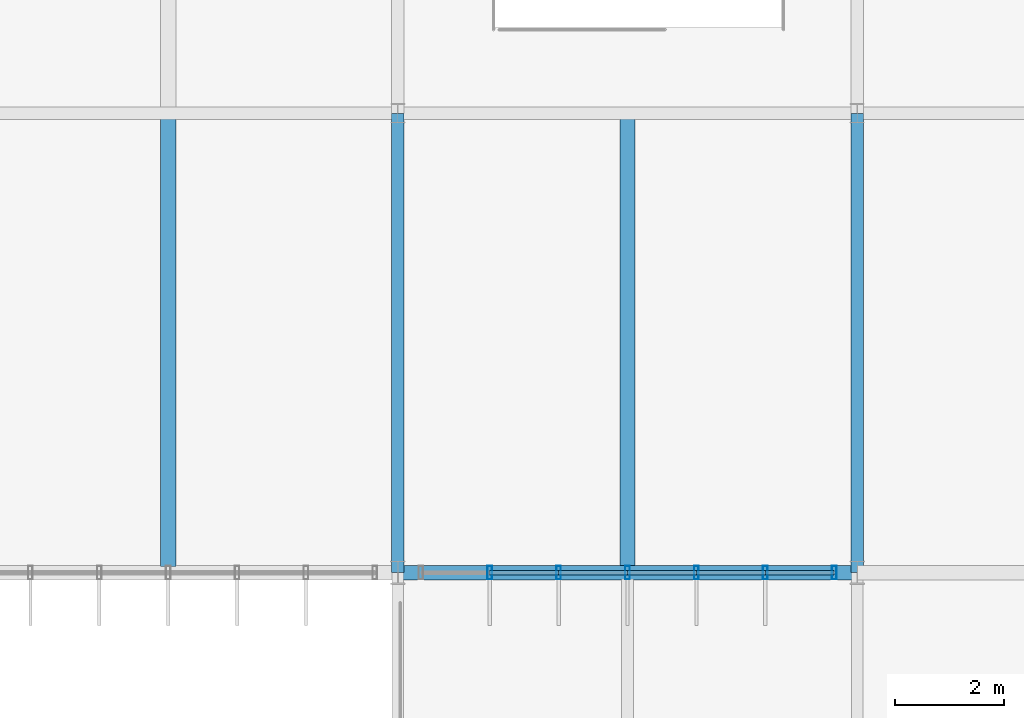
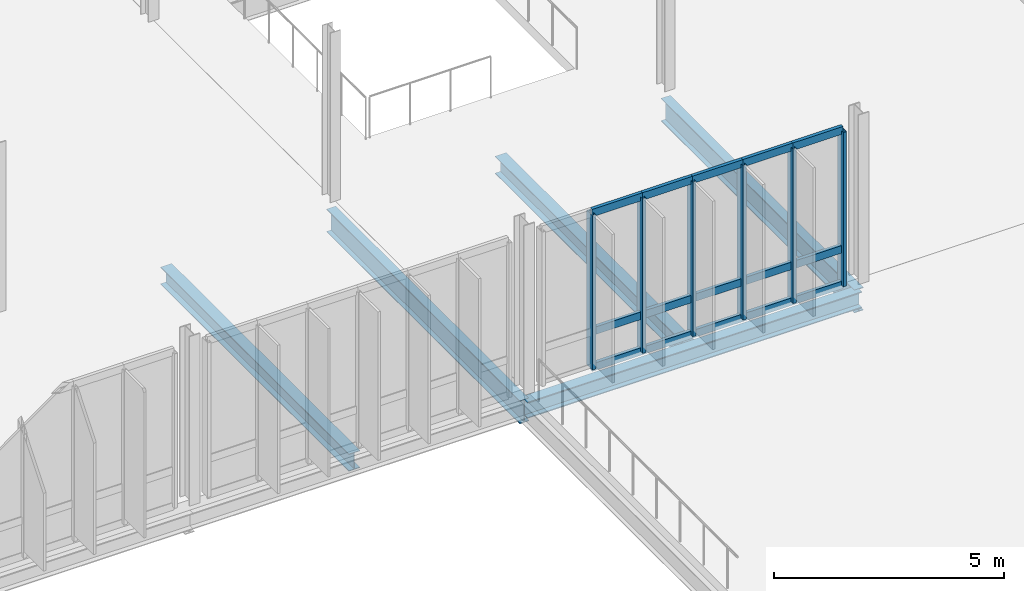
# One storey, part 23 of 139: 21 members, 5 beams, 1 element without a shape of its own.
"""IFC4 building model written with IfcOpenShell, lengths in metres."""

from ifc_helpers import new_model, si_unit, derived_unit, direction, frame, origin, origin_2d, place, context, subcontext, project, spatial, hollow_rectangle, i_section, extrude, material, layer, layer_set, material_profile, profile_set, type_object, element, aggregate, save


model = new_model("IFC4")

# Units and contexts
model_context = context("Model", 3, precision=1e-05, world=origin(), true_north=direction((0.0, 1.0)))
body_context = subcontext(model_context, "Body", "Model", "MODEL_VIEW")
ifc_project = project(units=[si_unit("LENGTHUNIT", "METRE"), si_unit("AREAUNIT", "SQUARE_METRE"), si_unit("VOLUMEUNIT", "CUBIC_METRE"), si_unit("PLANEANGLEUNIT", "RADIAN"), si_unit("MASSUNIT", "GRAM", prefix="KILO"), derived_unit("THERMALTRANSMITTANCEUNIT", [(si_unit("MASSUNIT", "GRAM", prefix="KILO"), 1), (si_unit("TIMEUNIT", "SECOND"), -3), (si_unit("THERMODYNAMICTEMPERATUREUNIT", "KELVIN"), -1)])], contexts=[model_context])

# Site, building, storey
site_placement = place(None, origin())
site = spatial("IfcSite", under=ifc_project, at=site_placement, CompositionType="ELEMENT")
building_placement = place(site_placement, origin())
building = spatial("IfcBuilding", under=site, at=building_placement, Name="Makaiwela Harbour Ferry Terminal", CompositionType="ELEMENT")
storey_placement = place(building_placement, frame((0.0, 0.0, 5.10009765625)))
storey = spatial("IfcBuildingStorey", under=building, at=storey_placement, Name="L01", CompositionType="ELEMENT", Elevation=5.10009765625)

# Curtain wall, members
ifc_material_1 = material(Name="Marine anodised aluminium 6063-T6", Category="aluminium")
ifc_layer = layer(ifc_material_1, 0.199951171875)
ifc_layer_set = layer_set([ifc_layer], Name="Marine anodised aluminium 6063-T6")
curtain_wall_type = type_object("IfcCurtainWallType", Name="ENV-CW-08", PredefinedType="USERDEFINED", material=ifc_layer_set)
curtain_wall_placement = place(storey_placement, origin())
curtain_wall = element("IfcCurtainWall", 1, at=curtain_wall_placement, inside=storey, type_object=curtain_wall_type, Name="Unitised Curtain Wall CWA-106", ObjectType="UNITIZED CURTAIN WALL", PredefinedType="USERDEFINED")
ifc_material_profile_1 = material_profile(ifc_material_1, hollow_rectangle(XDim=0.0849609375, YDim=0.25, WallThickness=0.0048828125, at=origin_2d()), Name="CWM-250X85")
ifc_profile_set_1 = profile_set([ifc_material_profile_1], Name="Marine anodised aluminium 6063-T6")
member_type_1 = type_object("IfcMemberType", Name="CW-MUL-250", PredefinedType="MULLION", material=ifc_profile_set_1)
member_1_placement = place(storey_placement, frame((62.580078125, 25.199951171875, 0.0), z_axis=(0.0, 0.0, 1.0), x_axis=(1.0, 0.0, 0.0)))
member_1 = element("IfcMember", 2, at=member_1_placement, type_object=member_type_1, Name="Curtain Wall Mullion CWA-106-1", PredefinedType="MULLION", context=body_context, shape_type="SweptSolid", body=[
    extrude(hollow_rectangle(XDim=0.0849609375, YDim=0.25, WallThickness=0.0048828125, at=origin_2d()), origin(), (0.0, 0.0, 1.0), 4.099853515625),
])
member_2_placement = place(storey_placement, frame((61.320068359375, 25.199951171875, 0.0), z_axis=(0.0, 0.0, 1.0), x_axis=(1.0, 0.0, 0.0)))
member_2 = element("IfcMember", 3, at=member_2_placement, type_object=member_type_1, Name="Curtain Wall Mullion CWA-106-2", PredefinedType="MULLION", context=body_context, shape_type="SweptSolid", body=[
    extrude(hollow_rectangle(XDim=0.0849609375, YDim=0.25, WallThickness=0.0048828125, at=origin_2d()), origin(), (0.0, 0.0, 1.0), 4.099853515625),
])
member_3_placement = place(storey_placement, frame((60.06005859375, 25.199951171875, 0.0), z_axis=(0.0, 0.0, 1.0), x_axis=(1.0, 0.0, 0.0)))
member_3 = element("IfcMember", 4, at=member_3_placement, type_object=member_type_1, Name="Curtain Wall Mullion CWA-106-3", PredefinedType="MULLION", context=body_context, shape_type="SweptSolid", body=[
    extrude(hollow_rectangle(XDim=0.0849609375, YDim=0.25, WallThickness=0.0048828125, at=origin_2d()), origin(), (0.0, 0.0, 1.0), 4.099853515625),
])
member_4_placement = place(storey_placement, frame((58.800048828125, 25.199951171875, 0.0), z_axis=(0.0, 0.0, 1.0), x_axis=(1.0, 0.0, 0.0)))
member_4 = element("IfcMember", 5, at=member_4_placement, type_object=member_type_1, Name="Curtain Wall Mullion CWA-106-4", PredefinedType="MULLION", context=body_context, shape_type="SweptSolid", body=[
    extrude(hollow_rectangle(XDim=0.0849609375, YDim=0.25, WallThickness=0.0048828125, at=origin_2d()), origin(), (0.0, 0.0, 1.0), 4.099853515625),
])
member_5_placement = place(storey_placement, frame((57.5400390625, 25.199951171875, 0.0), z_axis=(0.0, 0.0, 1.0), x_axis=(1.0, 0.0, 0.0)))
member_5 = element("IfcMember", 6, at=member_5_placement, type_object=member_type_1, Name="Curtain Wall Mullion CWA-106-5", PredefinedType="MULLION", context=body_context, shape_type="SweptSolid", body=[
    extrude(hollow_rectangle(XDim=0.0849609375, YDim=0.25, WallThickness=0.0048828125, at=origin_2d()), origin(), (0.0, 0.0, 1.0), 4.099853515625),
])
member_6_placement = place(storey_placement, frame((56.280029296875, 25.199951171875, 0.0), z_axis=(0.0, 0.0, 1.0), x_axis=(1.0, 0.0, 0.0)))
member_6 = element("IfcMember", 7, at=member_6_placement, type_object=member_type_1, Name="Curtain Wall Mullion CWA-106-6", PredefinedType="MULLION", context=body_context, shape_type="SweptSolid", body=[
    extrude(hollow_rectangle(XDim=0.0849609375, YDim=0.25, WallThickness=0.0048828125, at=origin_2d()), origin(), (0.0, 0.0, 1.0), 4.099853515625),
])
ifc_material_profile_2 = material_profile(ifc_material_1, hollow_rectangle(XDim=0.0849609375, YDim=0.199951171875, WallThickness=0.0048828125, at=origin_2d()), Name="CWT-200X85")
ifc_profile_set_2 = profile_set([ifc_material_profile_2], Name="Marine anodised aluminium 6063-T6")
member_type_2 = type_object("IfcMemberType", Name="CW-TRN-200", PredefinedType="USERDEFINED", material=ifc_profile_set_2)
member_7_placement = place(storey_placement, frame((62.580078125, 25.199951171875, 0.0), z_axis=(-1.0, 0.0, 0.0), x_axis=(0.0, -1.0, 0.0)))
member_7 = element("IfcMember", 8, at=member_7_placement, type_object=member_type_2, Name="Curtain Wall Transom CWA-106-1-1", ObjectType="TRANSOM", PredefinedType="USERDEFINED", context=body_context, shape_type="SweptSolid", body=[
    extrude(hollow_rectangle(XDim=0.0849609375, YDim=0.199951171875, WallThickness=0.0048828125, at=origin_2d()), origin(), (0.0, 0.0, 1.0), 1.260009765625),
])
member_8_placement = place(storey_placement, frame((62.580078125, 25.199951171875, 0.949951171875), z_axis=(-1.0, 0.0, 0.0), x_axis=(0.0, -1.0, 0.0)))
member_8 = element("IfcMember", 9, at=member_8_placement, type_object=member_type_2, Name="Curtain Wall Transom CWA-106-1-2", ObjectType="TRANSOM", PredefinedType="USERDEFINED", context=body_context, shape_type="SweptSolid", body=[
    extrude(hollow_rectangle(XDim=0.0849609375, YDim=0.199951171875, WallThickness=0.0048828125, at=origin_2d()), origin(), (0.0, 0.0, 1.0), 1.260009765625),
])
member_9_placement = place(storey_placement, frame((62.580078125, 25.199951171875, 4.099853515625), z_axis=(-1.0, 0.0, 0.0), x_axis=(0.0, -1.0, 0.0)))
member_9 = element("IfcMember", 10, at=member_9_placement, type_object=member_type_2, Name="Curtain Wall Transom CWA-106-1-3", ObjectType="TRANSOM", PredefinedType="USERDEFINED", context=body_context, shape_type="SweptSolid", body=[
    extrude(hollow_rectangle(XDim=0.0849609375, YDim=0.199951171875, WallThickness=0.0048828125, at=origin_2d()), origin(), (0.0, 0.0, 1.0), 1.260009765625),
])
member_10_placement = place(storey_placement, frame((61.320068359375, 25.199951171875, 0.0), z_axis=(-1.0, 0.0, 0.0), x_axis=(0.0, -1.0, 0.0)))
member_10 = element("IfcMember", 11, at=member_10_placement, type_object=member_type_2, Name="Curtain Wall Transom CWA-106-2-1", ObjectType="TRANSOM", PredefinedType="USERDEFINED", context=body_context, shape_type="SweptSolid", body=[
    extrude(hollow_rectangle(XDim=0.0849609375, YDim=0.199951171875, WallThickness=0.0048828125, at=origin_2d()), origin(), (0.0, 0.0, 1.0), 1.260009765625),
])
member_11_placement = place(storey_placement, frame((61.320068359375, 25.199951171875, 0.949951171875), z_axis=(-1.0, 0.0, 0.0), x_axis=(0.0, -1.0, 0.0)))
member_11 = element("IfcMember", 12, at=member_11_placement, type_object=member_type_2, Name="Curtain Wall Transom CWA-106-2-2", ObjectType="TRANSOM", PredefinedType="USERDEFINED", context=body_context, shape_type="SweptSolid", body=[
    extrude(hollow_rectangle(XDim=0.0849609375, YDim=0.199951171875, WallThickness=0.0048828125, at=origin_2d()), origin(), (0.0, 0.0, 1.0), 1.260009765625),
])
member_12_placement = place(storey_placement, frame((61.320068359375, 25.199951171875, 4.099853515625), z_axis=(-1.0, 0.0, 0.0), x_axis=(0.0, -1.0, 0.0)))
member_12 = element("IfcMember", 13, at=member_12_placement, type_object=member_type_2, Name="Curtain Wall Transom CWA-106-2-3", ObjectType="TRANSOM", PredefinedType="USERDEFINED", context=body_context, shape_type="SweptSolid", body=[
    extrude(hollow_rectangle(XDim=0.0849609375, YDim=0.199951171875, WallThickness=0.0048828125, at=origin_2d()), origin(), (0.0, 0.0, 1.0), 1.260009765625),
])
member_13_placement = place(storey_placement, frame((60.06005859375, 25.199951171875, 0.0), z_axis=(-1.0, 0.0, 0.0), x_axis=(0.0, -1.0, 0.0)))
member_13 = element("IfcMember", 14, at=member_13_placement, type_object=member_type_2, Name="Curtain Wall Transom CWA-106-3-1", ObjectType="TRANSOM", PredefinedType="USERDEFINED", context=body_context, shape_type="SweptSolid", body=[
    extrude(hollow_rectangle(XDim=0.0849609375, YDim=0.199951171875, WallThickness=0.0048828125, at=origin_2d()), origin(), (0.0, 0.0, 1.0), 1.260009765625),
])
member_14_placement = place(storey_placement, frame((60.06005859375, 25.199951171875, 0.949951171875), z_axis=(-1.0, 0.0, 0.0), x_axis=(0.0, -1.0, 0.0)))
member_14 = element("IfcMember", 15, at=member_14_placement, type_object=member_type_2, Name="Curtain Wall Transom CWA-106-3-2", ObjectType="TRANSOM", PredefinedType="USERDEFINED", context=body_context, shape_type="SweptSolid", body=[
    extrude(hollow_rectangle(XDim=0.0849609375, YDim=0.199951171875, WallThickness=0.0048828125, at=origin_2d()), origin(), (0.0, 0.0, 1.0), 1.260009765625),
])
member_15_placement = place(storey_placement, frame((60.06005859375, 25.199951171875, 4.099853515625), z_axis=(-1.0, 0.0, 0.0), x_axis=(0.0, -1.0, 0.0)))
member_15 = element("IfcMember", 16, at=member_15_placement, type_object=member_type_2, Name="Curtain Wall Transom CWA-106-3-3", ObjectType="TRANSOM", PredefinedType="USERDEFINED", context=body_context, shape_type="SweptSolid", body=[
    extrude(hollow_rectangle(XDim=0.0849609375, YDim=0.199951171875, WallThickness=0.0048828125, at=origin_2d()), origin(), (0.0, 0.0, 1.0), 1.260009765625),
])
member_16_placement = place(storey_placement, frame((58.800048828125, 25.199951171875, 0.0), z_axis=(-1.0, 0.0, 0.0), x_axis=(0.0, -1.0, 0.0)))
member_16 = element("IfcMember", 17, at=member_16_placement, type_object=member_type_2, Name="Curtain Wall Transom CWA-106-4-1", ObjectType="TRANSOM", PredefinedType="USERDEFINED", context=body_context, shape_type="SweptSolid", body=[
    extrude(hollow_rectangle(XDim=0.0849609375, YDim=0.199951171875, WallThickness=0.0048828125, at=origin_2d()), origin(), (0.0, 0.0, 1.0), 1.260009765625),
])
member_17_placement = place(storey_placement, frame((58.800048828125, 25.199951171875, 0.949951171875), z_axis=(-1.0, 0.0, 0.0), x_axis=(0.0, -1.0, 0.0)))
member_17 = element("IfcMember", 18, at=member_17_placement, type_object=member_type_2, Name="Curtain Wall Transom CWA-106-4-2", ObjectType="TRANSOM", PredefinedType="USERDEFINED", context=body_context, shape_type="SweptSolid", body=[
    extrude(hollow_rectangle(XDim=0.0849609375, YDim=0.199951171875, WallThickness=0.0048828125, at=origin_2d()), origin(), (0.0, 0.0, 1.0), 1.260009765625),
])
member_18_placement = place(storey_placement, frame((58.800048828125, 25.199951171875, 4.099853515625), z_axis=(-1.0, 0.0, 0.0), x_axis=(0.0, -1.0, 0.0)))
member_18 = element("IfcMember", 19, at=member_18_placement, type_object=member_type_2, Name="Curtain Wall Transom CWA-106-4-3", ObjectType="TRANSOM", PredefinedType="USERDEFINED", context=body_context, shape_type="SweptSolid", body=[
    extrude(hollow_rectangle(XDim=0.0849609375, YDim=0.199951171875, WallThickness=0.0048828125, at=origin_2d()), origin(), (0.0, 0.0, 1.0), 1.260009765625),
])
member_19_placement = place(storey_placement, frame((57.5400390625, 25.199951171875, 0.0), z_axis=(-1.0, 0.0, 0.0), x_axis=(0.0, -1.0, 0.0)))
member_19 = element("IfcMember", 20, at=member_19_placement, type_object=member_type_2, Name="Curtain Wall Transom CWA-106-5-1", ObjectType="TRANSOM", PredefinedType="USERDEFINED", context=body_context, shape_type="SweptSolid", body=[
    extrude(hollow_rectangle(XDim=0.0849609375, YDim=0.199951171875, WallThickness=0.0048828125, at=origin_2d()), origin(), (0.0, 0.0, 1.0), 1.260009765625),
])
member_20_placement = place(storey_placement, frame((57.5400390625, 25.199951171875, 0.949951171875), z_axis=(-1.0, 0.0, 0.0), x_axis=(0.0, -1.0, 0.0)))
member_20 = element("IfcMember", 21, at=member_20_placement, type_object=member_type_2, Name="Curtain Wall Transom CWA-106-5-2", ObjectType="TRANSOM", PredefinedType="USERDEFINED", context=body_context, shape_type="SweptSolid", body=[
    extrude(hollow_rectangle(XDim=0.0849609375, YDim=0.199951171875, WallThickness=0.0048828125, at=origin_2d()), origin(), (0.0, 0.0, 1.0), 1.260009765625),
])
member_21_placement = place(storey_placement, frame((57.5400390625, 25.199951171875, 4.099853515625), z_axis=(-1.0, 0.0, 0.0), x_axis=(0.0, -1.0, 0.0)))
member_21 = element("IfcMember", 22, at=member_21_placement, type_object=member_type_2, Name="Curtain Wall Transom CWA-106-5-3", ObjectType="TRANSOM", PredefinedType="USERDEFINED", context=body_context, shape_type="SweptSolid", body=[
    extrude(hollow_rectangle(XDim=0.0849609375, YDim=0.199951171875, WallThickness=0.0048828125, at=origin_2d()), origin(), (0.0, 0.0, 1.0), 1.260009765625),
])
aggregate(curtain_wall, [member_1, member_2, member_3, member_4, member_5, member_6, member_7, member_8, member_9, member_10, member_11, member_12, member_13, member_14, member_15, member_16, member_17, member_18, member_19, member_20, member_21])

# Beams
ifc_material_2 = material(Name="Steel ASTM A992 Grade 50", Category="steel")
ifc_material_profile_3 = material_profile(ifc_material_2, i_section(OverallWidth=0.280029296875, OverallDepth=0.462890625, WebThickness=0.0107421875, FlangeThickness=0.017333984375, at=origin_2d()), Name="W18X76")
ifc_profile_set_3 = profile_set([ifc_material_profile_3], Name="Steel ASTM A992 Grade 50")
beam_type_1 = type_object("IfcBeamType", Name="STR-BM-W18X76", PredefinedType="BEAM", material=ifc_profile_set_3)
for number, where, z_axis, x_axis, name in (
    (23, (50.39990234375, 25.314453125, -0.51171875), (0.0, 1.0, 0.0), (-1.0, 0.0, 0.0), "Secondary floor beam 1067"),
    (24, (58.800048828125, 25.314453125, -0.51171875), (0.0, 1.0, 0.0), (-1.0, 0.0, 0.0), "Secondary floor beam 1073"),
):
    element("IfcBeam", number, at=place(storey_placement, frame(where, z_axis=z_axis, x_axis=x_axis)), inside=storey, type_object=beam_type_1, Name=name, PredefinedType="BEAM", context=body_context, shape_type="SweptSolid", body=[
        extrude(i_section(OverallWidth=0.280029296875, OverallDepth=0.462890625, WebThickness=0.0107421875, FlangeThickness=0.017333984375, at=origin_2d()), origin(), (0.0, 0.0, 1.0), 8.18896484375),
    ])
ifc_material_profile_4 = material_profile(ifc_material_2, i_section(OverallWidth=0.22900390625, OverallDepth=0.612060546875, WebThickness=0.011962890625, FlangeThickness=0.01953125, at=origin_2d()), Name="W24X84")
ifc_profile_set_4 = profile_set([ifc_material_profile_4], Name="Steel ASTM A992 Grade 50")
beam_type_2 = type_object("IfcBeamType", Name="STR-GRD-W24X84", PredefinedType="USERDEFINED", material=ifc_profile_set_4)
for number, where, z_axis, x_axis, name in (
    (25, (54.60009765625, 25.199951171875, -0.586181640625), (0.0, 1.0, 0.0), (-1.0, 0.0, 0.0), "Primary Y girder 919"),
    (26, (63.0, 25.199951171875, -0.586181640625), (0.0, 1.0, 0.0), (-1.0, 0.0, 0.0), "Primary Y girder 925"),
):
    element("IfcBeam", number, at=place(storey_placement, frame(where, z_axis=z_axis, x_axis=x_axis)), inside=storey, type_object=beam_type_2, Name=name, ObjectType="GIRDER", PredefinedType="USERDEFINED", context=body_context, shape_type="SweptSolid", body=[
        extrude(i_section(OverallWidth=0.22900390625, OverallDepth=0.612060546875, WebThickness=0.011962890625, FlangeThickness=0.01953125, at=origin_2d()), origin(), (0.0, 0.0, 1.0), 8.400146484375),
    ])
ifc_material_profile_5 = material_profile(ifc_material_2, i_section(OverallWidth=0.264892578125, OverallDepth=0.430908203125, WebThickness=0.014892578125, FlangeThickness=0.02490234375, at=origin_2d()), Name="W16X100")
ifc_profile_set_5 = profile_set([ifc_material_profile_5], Name="Steel ASTM A992 Grade 50")
beam_type_3 = type_object("IfcBeamType", Name="STR-SPN-W16X100", PredefinedType="SPANDREL", material=ifc_profile_set_5)
beam_placement = place(storey_placement, frame((54.60009765625, 25.199951171875, -0.49560546875), z_axis=(1.0, 0.0, 0.0), x_axis=(0.0, 1.0, 0.0)))
element("IfcBeam", 27, at=beam_placement, inside=storey, type_object=beam_type_3, Name="Primary X girder 757", PredefinedType="SPANDREL", context=body_context, shape_type="SweptSolid", body=[
    extrude(i_section(OverallWidth=0.264892578125, OverallDepth=0.430908203125, WebThickness=0.014892578125, FlangeThickness=0.02490234375, at=origin_2d()), origin(), (0.0, 0.0, 1.0), 8.39990234375),
])

save(model, "model.ifc")
